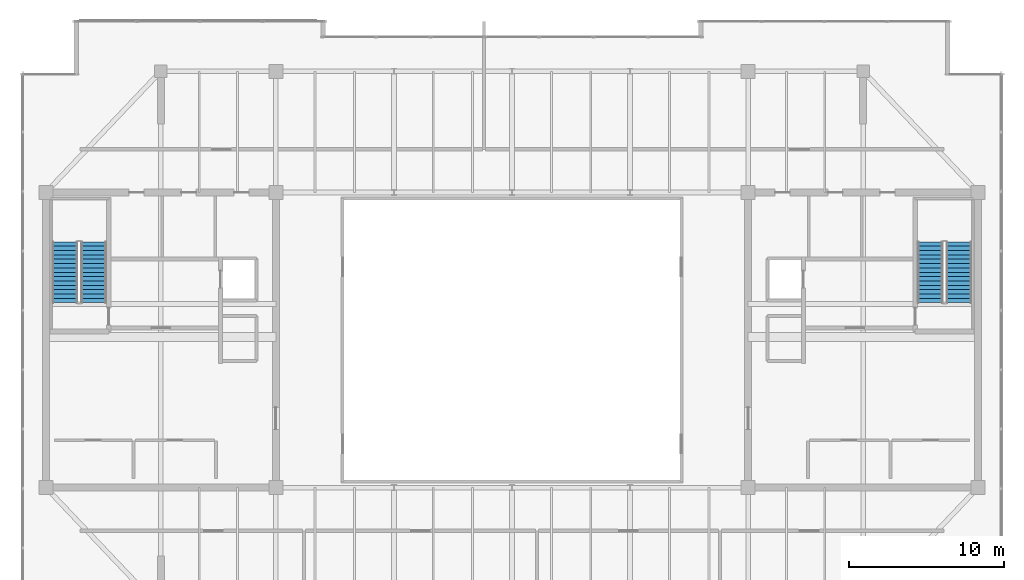
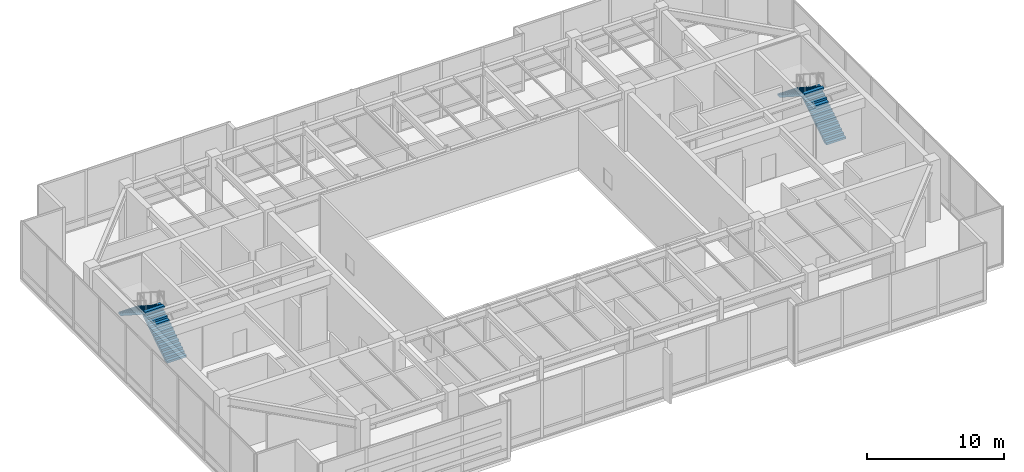
# One storey, part 27 of 30: 4 stair flights, 2 elements without a shape of their own.
"""IFC4 building model written with IfcOpenShell, lengths in metres."""

from ifc_helpers import new_model, si_unit, direction, frame, origin, place, context, subcontext, project, spatial, polyline, outline, extrude, source, transform, mapped, material, type_object, type_shapes, element, aggregate, save


model = new_model("IFC4")

# Units and contexts
model_context = context("Model", 3, precision=1e-05, world=origin(), true_north=direction((0.0, 1.0)))
body_context = subcontext(model_context, "Body", "Model", "MODEL_VIEW")
ifc_project = project(units=[si_unit("LENGTHUNIT", "METRE"), si_unit("AREAUNIT", "SQUARE_METRE"), si_unit("VOLUMEUNIT", "CUBIC_METRE"), si_unit("PLANEANGLEUNIT", "RADIAN"), si_unit("MASSUNIT", "GRAM", prefix="KILO")], contexts=[model_context])

# Site, building, storey
site_placement = place(None, origin())
site = spatial("IfcSite", under=ifc_project, at=site_placement, CompositionType="ELEMENT")
building_placement = place(site_placement, origin())
building = spatial("IfcBuilding", under=site, at=building_placement, Name="Haelvirn Gate Laboratories", CompositionType="ELEMENT")
storey_placement = place(building_placement, frame((0.0, 0.0, 332.39990234375)))
storey = spatial("IfcBuildingStorey", under=building, at=storey_placement, Name="L79", CompositionType="ELEMENT", Elevation=332.39990234375)

# Stair, stair flights
ifc_material = material(Name="Concrete C40/50", Category="concrete")
stair_type = type_object("IfcStairType", Name="ST-DOG-1650-R30", PredefinedType="HALF_TURN_STAIR", material=ifc_material)
stair_1_placement = place(storey_placement, origin())
stair_1 = element("IfcStair", 1, at=stair_1_placement, inside=storey, type_object=stair_type, Name="L79 Escape Stair ST1", PredefinedType="HALF_TURN_STAIR")
stair_flight_type = type_object("IfcStairFlightType", Name="STF-1650-R15", PredefinedType="STRAIGHT", material=ifc_material)
shared_shape = source(origin(), body_context, "Body", "SweptSolid", [
    extrude(outline(polyline([(0.0, 0.0), (0.0, 0.179931640625), (0.280029296875, 0.179931640625), (0.280029296875, 0.360107421875), (0.56005859375, 0.360107421875), (0.56005859375, 0.5400390625), (0.840087890625, 0.5400390625), (0.840087890625, 0.719970703125), (1.1201171875, 0.719970703125), (1.1201171875, 0.89990234375), (1.39990234375, 0.89990234375), (1.39990234375, 1.080078125), (1.679931640625, 1.080078125), (1.679931640625, 1.260009765625), (1.9599609375, 1.260009765625), (1.9599609375, 1.43994140625), (2.239990234375, 1.43994140625), (2.239990234375, 1.6201171875), (2.52001953125, 1.6201171875), (2.52001953125, 1.800048828125), (2.800048828125, 1.800048828125), (2.800048828125, 1.97998046875), (3.080078125, 1.97998046875), (3.080078125, 2.159912109375), (3.360107421875, 2.159912109375), (3.360107421875, 2.340087890625), (3.639892578125, 2.340087890625), (3.639892578125, 2.52001953125), (3.919921875, 2.52001953125), (3.919921875, 2.699951171875), (3.919921875, 2.329833984375), (0.295654296875, 0.0), (0.0, 0.0)])), frame((0.0, 0.824951171875, 0.0), z_axis=(0.0, -1.0, 0.0), x_axis=(1.0, 0.0, 0.0)), (0.0, 0.0, 1.0), 1.64990234375),
])
type_shapes(stair_flight_type, [shared_shape])
stair_flight_1_placement = place(storey_placement, frame((10.47509765625, 26.699951171875, 0.0), z_axis=(0.0, 0.0, 1.0), x_axis=(0.0, 1.0, 0.0)))
stair_flight_1 = element("IfcStairFlight", 2, at=stair_flight_1_placement, type_object=stair_flight_type, Name="ST1 flight 1", NumberOfRisers=15, NumberOfTreads=14, PredefinedType="STRAIGHT", RiserHeight=0.18, TreadLength=0.28, context=body_context, shape_type="MappedRepresentation", body=[
    mapped(shared_shape, transform((0.0, 0.0, 0.0), scale=1.0)),
])
stair_flight_2_placement = place(storey_placement, frame((8.625, 30.6201171875, 2.7001953125), z_axis=(0.0, 0.0, 1.0), x_axis=(0.0, -1.0, 0.0)))
stair_flight_2 = element("IfcStairFlight", 3, at=stair_flight_2_placement, type_object=stair_flight_type, Name="ST1 flight 2", NumberOfRisers=15, NumberOfTreads=14, PredefinedType="STRAIGHT", RiserHeight=0.18, TreadLength=0.28, context=body_context, shape_type="MappedRepresentation", body=[
    mapped(shared_shape, transform((0.0, 0.0, 0.0), scale=1.0)),
])
aggregate(stair_1, [stair_flight_1, stair_flight_2])

stair_2_placement = place(storey_placement, origin())
stair_2 = element("IfcStair", 4, at=stair_2_placement, inside=storey, type_object=stair_type, Name="L79 Escape Stair ST2", PredefinedType="HALF_TURN_STAIR")
stair_flight_3_placement = place(storey_placement, frame((66.175048828125, 26.699951171875, 0.0), z_axis=(0.0, 0.0, 1.0), x_axis=(0.0, 1.0, 0.0)))
stair_flight_3 = element("IfcStairFlight", 5, at=stair_flight_3_placement, type_object=stair_flight_type, Name="ST2 flight 1", NumberOfRisers=15, NumberOfTreads=14, PredefinedType="STRAIGHT", RiserHeight=0.18, TreadLength=0.28, context=body_context, shape_type="MappedRepresentation", body=[
    mapped(shared_shape, transform((0.0, 0.0, 0.0), scale=1.0)),
])
stair_flight_4_placement = place(storey_placement, frame((64.324951171875, 30.6201171875, 2.7001953125), z_axis=(0.0, 0.0, 1.0), x_axis=(0.0, -1.0, 0.0)))
stair_flight_4 = element("IfcStairFlight", 6, at=stair_flight_4_placement, type_object=stair_flight_type, Name="ST2 flight 2", NumberOfRisers=15, NumberOfTreads=14, PredefinedType="STRAIGHT", RiserHeight=0.18, TreadLength=0.28, context=body_context, shape_type="MappedRepresentation", body=[
    mapped(shared_shape, transform((0.0, 0.0, 0.0), scale=1.0)),
])
aggregate(stair_2, [stair_flight_3, stair_flight_4])

save(model, "model.ifc")
